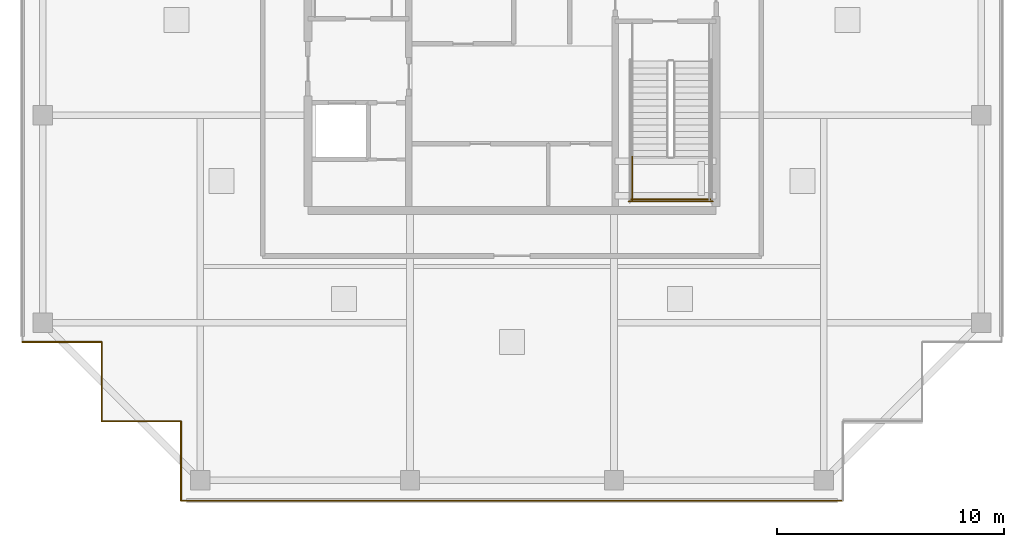
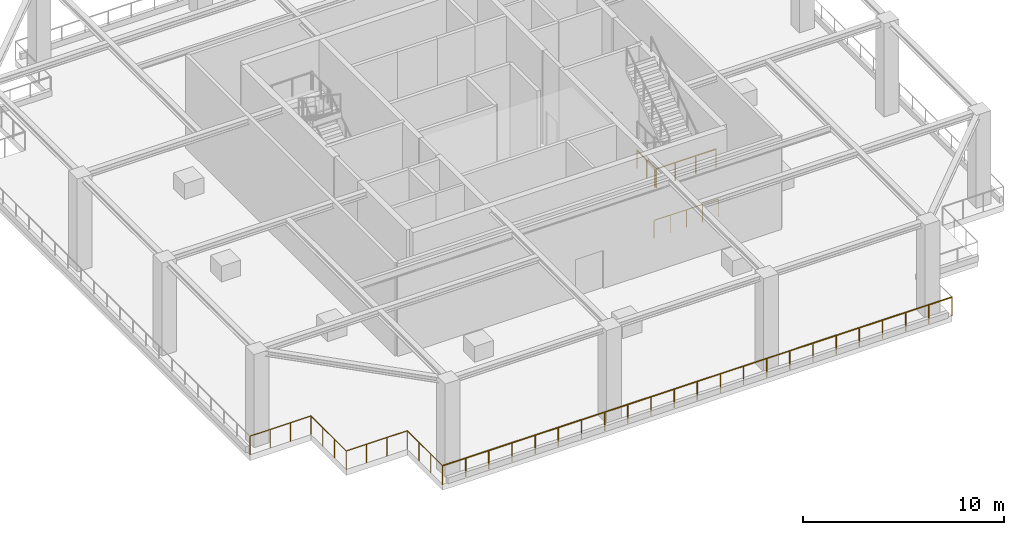
# One storey, part 6 of 10: 8 railings.
"""IFC4 building model written with IfcOpenShell, lengths in metres."""

from ifc_helpers import new_model, si_unit, direction, frame, origin, origin_2d, place, context, subcontext, project, spatial, circle, extrude, material, type_object, element, save


model = new_model("IFC4")

# Units and contexts
model_context = context("Model", 3, precision=1e-05, world=origin(), true_north=direction((0.0, 1.0)))
body_context = subcontext(model_context, "Body", "Model", "MODEL_VIEW")
ifc_project = project(units=[si_unit("LENGTHUNIT", "METRE"), si_unit("AREAUNIT", "SQUARE_METRE"), si_unit("VOLUMEUNIT", "CUBIC_METRE"), si_unit("PLANEANGLEUNIT", "RADIAN"), si_unit("MASSUNIT", "GRAM", prefix="KILO")], contexts=[model_context])

# Site, building, storey
site_placement = place(None, origin())
site = spatial("IfcSite", under=ifc_project, at=site_placement, CompositionType="ELEMENT")
building_placement = place(site_placement, origin())
building = spatial("IfcBuilding", under=site, at=building_placement, Name="Serunith Strait Residences", CompositionType="ELEMENT")
storey_placement = place(building_placement, frame((0.0, 0.0, 359.75)))
storey = spatial("IfcBuildingStorey", under=building, at=storey_placement, Name="L88", CompositionType="ELEMENT", Elevation=359.75)

# Railings
ifc_material_1 = material(Name="Stainless Steel & Laminated Glass Balustrade", Category="steel")
railing_type_1 = type_object("IfcRailingType", Name="RLG-BALC-1150", PredefinedType="BALUSTRADE", material=ifc_material_1)
railing_1_placement = place(storey_placement, frame((17.800048828125, 4.0, 0.0)))
element("IfcRailing", 1, at=railing_1_placement, inside=storey, type_object=railing_type_1, Name="Crown Sky-Garden Perimeter Balustrade 01", PredefinedType="BALUSTRADE", context=body_context, shape_type="SweptSolid", body=[
    extrude(circle(Radius=0.02392578125, at=origin_2d()), frame((0.001953125, 0.0, 1.1259765625), z_axis=(1.0, 0.0, 0.0), x_axis=(0.0, 1.0, 0.0)), (0.0, 0.0, 1.0), 29.196044921875),
    extrude(circle(Radius=0.02099609375, at=origin_2d()), origin(), (0.0, 0.0, 1.0), 1.099853515625),
    extrude(circle(Radius=0.02099609375, at=origin_2d()), frame((1.3271484375, 0.0, 0.0)), (0.0, 0.0, 1.0), 1.099853515625),
    extrude(circle(Radius=0.02099609375, at=origin_2d()), frame((2.654541015625, 0.0, 0.0)), (0.0, 0.0, 1.0), 1.099853515625),
    extrude(circle(Radius=0.02099609375, at=origin_2d()), frame((3.981689453125, 0.0, 0.0)), (0.0, 0.0, 1.0), 1.099853515625),
    extrude(circle(Radius=0.02099609375, at=origin_2d()), frame((5.30908203125, 0.0, 0.0)), (0.0, 0.0, 1.0), 1.099853515625),
    extrude(circle(Radius=0.02099609375, at=origin_2d()), frame((6.63623046875, 0.0, 0.0)), (0.0, 0.0, 1.0), 1.099853515625),
    extrude(circle(Radius=0.02099609375, at=origin_2d()), frame((7.963623046875, 0.0, 0.0)), (0.0, 0.0, 1.0), 1.099853515625),
    extrude(circle(Radius=0.02099609375, at=origin_2d()), frame((9.291015625, 0.0, 0.0)), (0.0, 0.0, 1.0), 1.099853515625),
    extrude(circle(Radius=0.02099609375, at=origin_2d()), frame((10.6181640625, 0.0, 0.0)), (0.0, 0.0, 1.0), 1.099853515625),
    extrude(circle(Radius=0.02099609375, at=origin_2d()), frame((11.9453125, 0.0, 0.0)), (0.0, 0.0, 1.0), 1.099853515625),
    extrude(circle(Radius=0.02099609375, at=origin_2d()), frame((13.272705078125, 0.0, 0.0)), (0.0, 0.0, 1.0), 1.099853515625),
    extrude(circle(Radius=0.02099609375, at=origin_2d()), frame((14.60009765625, 0.0, 0.0)), (0.0, 0.0, 1.0), 1.099853515625),
    extrude(circle(Radius=0.02099609375, at=origin_2d()), frame((15.92724609375, 0.0, 0.0)), (0.0, 0.0, 1.0), 1.099853515625),
    extrude(circle(Radius=0.02099609375, at=origin_2d()), frame((17.25439453125, 0.0, 0.0)), (0.0, 0.0, 1.0), 1.099853515625),
    extrude(circle(Radius=0.02099609375, at=origin_2d()), frame((18.581787109375, 0.0, 0.0)), (0.0, 0.0, 1.0), 1.099853515625),
    extrude(circle(Radius=0.02099609375, at=origin_2d()), frame((19.9091796875, 0.0, 0.0)), (0.0, 0.0, 1.0), 1.099853515625),
    extrude(circle(Radius=0.02099609375, at=origin_2d()), frame((21.236328125, 0.0, 0.0)), (0.0, 0.0, 1.0), 1.099853515625),
    extrude(circle(Radius=0.02099609375, at=origin_2d()), frame((22.5634765625, 0.0, 0.0)), (0.0, 0.0, 1.0), 1.099853515625),
    extrude(circle(Radius=0.02099609375, at=origin_2d()), frame((23.890869140625, 0.0, 0.0)), (0.0, 0.0, 1.0), 1.099853515625),
    extrude(circle(Radius=0.02099609375, at=origin_2d()), frame((25.21826171875, 0.0, 0.0)), (0.0, 0.0, 1.0), 1.099853515625),
    extrude(circle(Radius=0.02099609375, at=origin_2d()), frame((26.54541015625, 0.0, 0.0)), (0.0, 0.0, 1.0), 1.099853515625),
    extrude(circle(Radius=0.02099609375, at=origin_2d()), frame((27.87255859375, 0.0, 0.0)), (0.0, 0.0, 1.0), 1.099853515625),
    extrude(circle(Radius=0.02099609375, at=origin_2d()), frame((29.199951171875, 0.0, 0.0)), (0.0, 0.0, 1.0), 1.099853515625),
])
railing_2_placement = place(storey_placement, frame((10.800048828125, 11.0, 0.0)))
element("IfcRailing", 2, at=railing_2_placement, inside=storey, type_object=railing_type_1, Name="Crown Sky-Garden Perimeter Balustrade 17", PredefinedType="BALUSTRADE", context=body_context, shape_type="SweptSolid", body=[
    extrude(circle(Radius=0.02392578125, at=origin_2d()), frame((0.001953125, 0.0, 1.1259765625), z_axis=(1.0, 0.0, 0.0), x_axis=(0.0, 1.0, 0.0)), (0.0, 0.0, 1.0), 3.49609375),
    extrude(circle(Radius=0.02099609375, at=origin_2d()), origin(), (0.0, 0.0, 1.0), 1.099853515625),
    extrude(circle(Radius=0.02099609375, at=origin_2d()), frame((1.166748046875, 0.0, 0.0)), (0.0, 0.0, 1.0), 1.099853515625),
    extrude(circle(Radius=0.02099609375, at=origin_2d()), frame((2.333251953125, 0.0, 0.0)), (0.0, 0.0, 1.0), 1.099853515625),
    extrude(circle(Radius=0.02099609375, at=origin_2d()), frame((3.5, 0.0, 0.0)), (0.0, 0.0, 1.0), 1.099853515625),
])
railing_3_placement = place(storey_placement, frame((14.300048828125, 11.0, 0.0)))
element("IfcRailing", 3, at=railing_3_placement, inside=storey, type_object=railing_type_1, Name="Crown Sky-Garden Perimeter Balustrade 18", PredefinedType="BALUSTRADE", context=body_context, shape_type="SweptSolid", body=[
    extrude(circle(Radius=0.02392578125, at=origin_2d()), frame((0.0, -0.001953125, 1.1259765625), z_axis=(0.0, -1.0, 0.0), x_axis=(1.0, 0.0, 0.0)), (0.0, 0.0, 1.0), 3.49609375),
    extrude(circle(Radius=0.02099609375, at=origin_2d()), origin(), (0.0, 0.0, 1.0), 1.099853515625),
    extrude(circle(Radius=0.02099609375, at=origin_2d()), frame((0.0, -1.166748046875, 0.0)), (0.0, 0.0, 1.0), 1.099853515625),
    extrude(circle(Radius=0.02099609375, at=origin_2d()), frame((0.0, -2.333251953125, 0.0)), (0.0, 0.0, 1.0), 1.099853515625),
    extrude(circle(Radius=0.02099609375, at=origin_2d()), frame((0.0, -3.5, 0.0)), (0.0, 0.0, 1.0), 1.099853515625),
])
railing_4_placement = place(storey_placement, frame((14.300048828125, 7.5, 0.0)))
element("IfcRailing", 4, at=railing_4_placement, inside=storey, type_object=railing_type_1, Name="Crown Sky-Garden Perimeter Balustrade 19", PredefinedType="BALUSTRADE", context=body_context, shape_type="SweptSolid", body=[
    extrude(circle(Radius=0.02392578125, at=origin_2d()), frame((0.001953125, 0.0, 1.1259765625), z_axis=(1.0, 0.0, 0.0), x_axis=(0.0, 1.0, 0.0)), (0.0, 0.0, 1.0), 3.49609375),
    extrude(circle(Radius=0.02099609375, at=origin_2d()), origin(), (0.0, 0.0, 1.0), 1.099853515625),
    extrude(circle(Radius=0.02099609375, at=origin_2d()), frame((1.166748046875, 0.0, 0.0)), (0.0, 0.0, 1.0), 1.099853515625),
    extrude(circle(Radius=0.02099609375, at=origin_2d()), frame((2.333251953125, 0.0, 0.0)), (0.0, 0.0, 1.0), 1.099853515625),
    extrude(circle(Radius=0.02099609375, at=origin_2d()), frame((3.5, 0.0, 0.0)), (0.0, 0.0, 1.0), 1.099853515625),
])
railing_5_placement = place(storey_placement, frame((17.800048828125, 7.5, 0.0)))
element("IfcRailing", 5, at=railing_5_placement, inside=storey, type_object=railing_type_1, Name="Crown Sky-Garden Perimeter Balustrade 20", PredefinedType="BALUSTRADE", context=body_context, shape_type="SweptSolid", body=[
    extrude(circle(Radius=0.02392578125, at=origin_2d()), frame((0.0, -0.001953125, 1.1259765625), z_axis=(0.0, -1.0, 0.0), x_axis=(1.0, 0.0, 0.0)), (0.0, 0.0, 1.0), 3.49609375),
    extrude(circle(Radius=0.02099609375, at=origin_2d()), origin(), (0.0, 0.0, 1.0), 1.099853515625),
    extrude(circle(Radius=0.02099609375, at=origin_2d()), frame((0.0, -1.166748046875, 0.0)), (0.0, 0.0, 1.0), 1.099853515625),
    extrude(circle(Radius=0.02099609375, at=origin_2d()), frame((0.0, -2.333251953125, 0.0)), (0.0, 0.0, 1.0), 1.099853515625),
    extrude(circle(Radius=0.02099609375, at=origin_2d()), frame((0.0, -3.5, 0.0)), (0.0, 0.0, 1.0), 1.099853515625),
])
ifc_material_2 = material(Name="Brushed stainless steel 316L", Category="steel")
railing_type_2 = type_object("IfcRailingType", Name="RLG-STAIR-GUARD", PredefinedType="BALUSTRADE", material=ifc_material_2)
railing_6_placement = place(storey_placement, frame((37.699951171875, 19.169921875, 3.0)))
element("IfcRailing", 6, at=railing_6_placement, inside=storey, type_object=railing_type_2, Name="L88 ST-2 stair guard 3", PredefinedType="BALUSTRADE", context=body_context, shape_type="SweptSolid", body=[
    extrude(circle(Radius=0.02392578125, at=origin_2d()), frame((0.0, -0.001953125, 1.076171875), z_axis=(0.0, -1.0, 0.0), x_axis=(1.0, 0.0, 0.0)), (0.0, 0.0, 1.0), 1.916015625),
    extrude(circle(Radius=0.02099609375, at=origin_2d()), origin(), (0.0, 0.0, 1.0), 1.050048828125),
    extrude(circle(Radius=0.02099609375, at=origin_2d()), frame((0.0, -0.9599609375, 0.0)), (0.0, 0.0, 1.0), 1.050048828125),
    extrude(circle(Radius=0.02099609375, at=origin_2d()), frame((0.0, -1.919921875, 0.0)), (0.0, 0.0, 1.0), 1.050048828125),
])
railing_7_placement = place(storey_placement, frame((37.64990234375, 17.300048828125, 3.0)))
element("IfcRailing", 7, at=railing_7_placement, inside=storey, type_object=railing_type_2, Name="L88 ST-2 stair guard 5", PredefinedType="BALUSTRADE", context=body_context, shape_type="SweptSolid", body=[
    extrude(circle(Radius=0.02392578125, at=origin_2d()), frame((0.001953125, 0.0, 1.076171875), z_axis=(1.0, 0.0, 0.0), x_axis=(0.0, 1.0, 0.0)), (0.0, 0.0, 1.0), 3.49609375),
    extrude(circle(Radius=0.02099609375, at=origin_2d()), origin(), (0.0, 0.0, 1.0), 1.050048828125),
    extrude(circle(Radius=0.02099609375, at=origin_2d()), frame((1.166748046875, 0.0, 0.0)), (0.0, 0.0, 1.0), 1.050048828125),
    extrude(circle(Radius=0.02099609375, at=origin_2d()), frame((2.333251953125, 0.0, 0.0)), (0.0, 0.0, 1.0), 1.050048828125),
    extrude(circle(Radius=0.02099609375, at=origin_2d()), frame((3.5, 0.0, 0.0)), (0.0, 0.0, 1.0), 1.050048828125),
])
railing_8_placement = place(storey_placement, frame((37.550048828125, 17.199951171875, 0.0)))
element("IfcRailing", 8, at=railing_8_placement, inside=storey, type_object=railing_type_2, Name="L88 ST-2 stair guard 12", PredefinedType="BALUSTRADE", context=body_context, shape_type="SweptSolid", body=[
    extrude(circle(Radius=0.02392578125, at=origin_2d()), frame((0.001953125, 0.0, 1.076171875), z_axis=(1.0, 0.0, 0.0), x_axis=(0.0, 1.0, 0.0)), (0.0, 0.0, 1.0), 3.696044921875),
    extrude(circle(Radius=0.02099609375, at=origin_2d()), origin(), (0.0, 0.0, 1.0), 1.050048828125),
    extrude(circle(Radius=0.02099609375, at=origin_2d()), frame((0.925048828125, 0.0, 0.0)), (0.0, 0.0, 1.0), 1.050048828125),
    extrude(circle(Radius=0.02099609375, at=origin_2d()), frame((1.85009765625, 0.0, 0.0)), (0.0, 0.0, 1.0), 1.050048828125),
    extrude(circle(Radius=0.02099609375, at=origin_2d()), frame((2.77490234375, 0.0, 0.0)), (0.0, 0.0, 1.0), 1.050048828125),
    extrude(circle(Radius=0.02099609375, at=origin_2d()), frame((3.699951171875, 0.0, 0.0)), (0.0, 0.0, 1.0), 1.050048828125),
])

save(model, "model.ifc")
